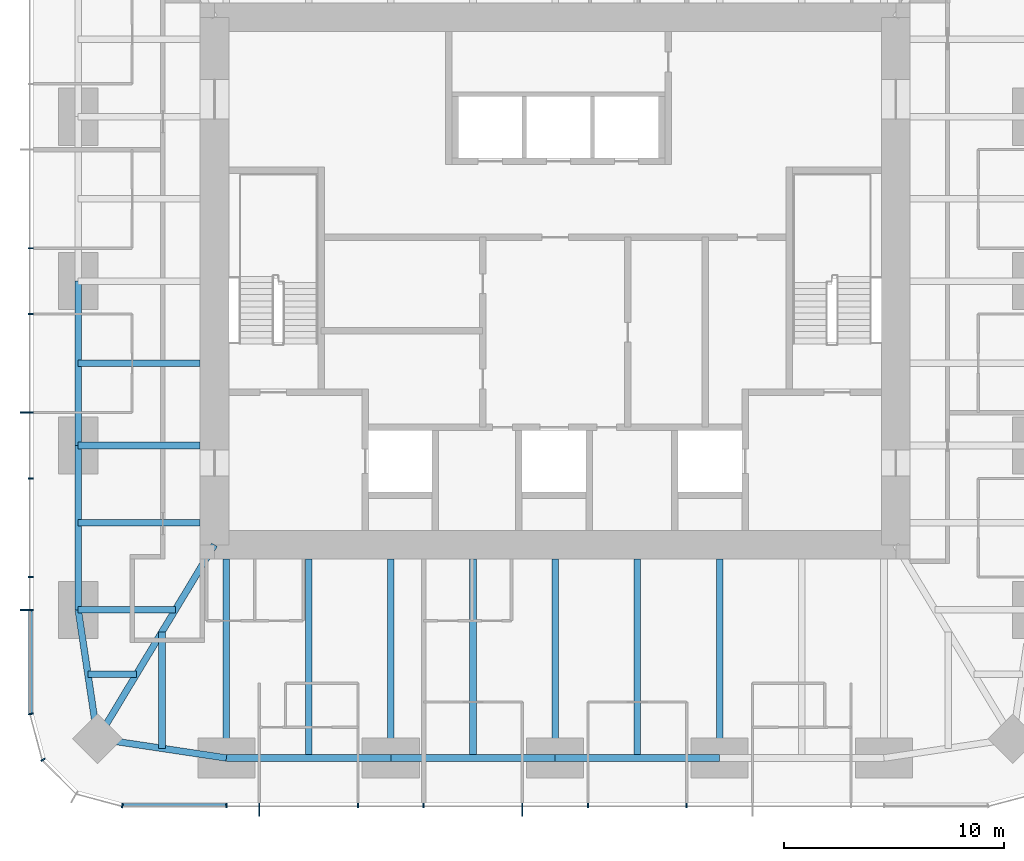
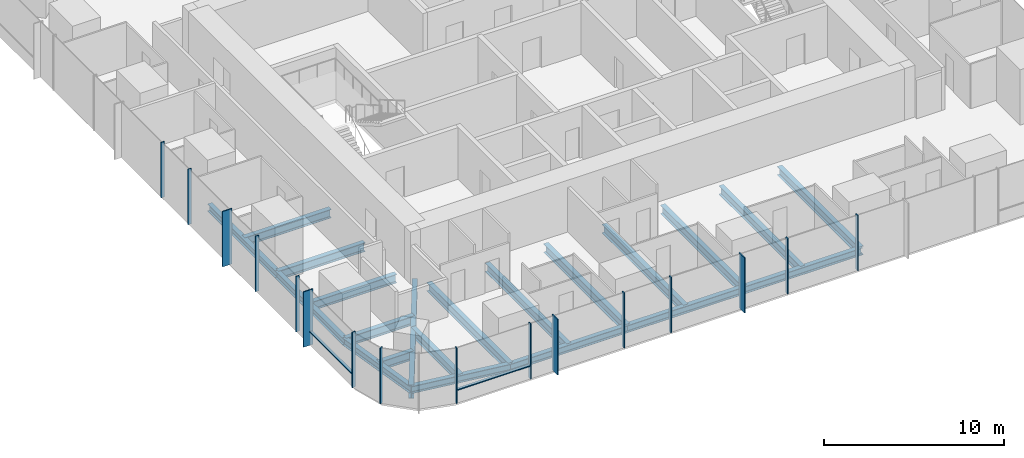
# One storey, part 2 of 12: 21 beams, 18 members, 3 elements without a shape of their own.
"""IFC4 building model written with IfcOpenShell, lengths in metres."""

from ifc_helpers import new_model, si_unit, direction, frame, origin, origin_2d, place, context, subcontext, project, spatial, rectangle, i_section, extrude, material, material_profile, profile_set, type_object, element, aggregate, save


model = new_model("IFC4")

# Units and contexts
model_context = context("Model", 3, precision=1e-05, world=origin(), true_north=direction((0.0, 1.0)))
body_context = subcontext(model_context, "Body", "Model", "MODEL_VIEW")
ifc_project = project(units=[si_unit("LENGTHUNIT", "METRE"), si_unit("AREAUNIT", "SQUARE_METRE"), si_unit("VOLUMEUNIT", "CUBIC_METRE"), si_unit("PLANEANGLEUNIT", "RADIAN"), si_unit("MASSUNIT", "GRAM", prefix="KILO")], contexts=[model_context])

# Site, building, storey
site_placement = place(None, origin())
site = spatial("IfcSite", under=ifc_project, at=site_placement, CompositionType="ELEMENT")
building_placement = place(site_placement, origin())
building = spatial("IfcBuilding", under=site, at=building_placement, Name="Khuree Lantern Residences", CompositionType="ELEMENT")
storey_placement = place(building_placement, frame((0.0, 0.0, 293.25)))
storey = spatial("IfcBuildingStorey", under=building, at=storey_placement, Name="L73", CompositionType="ELEMENT", Elevation=293.25)

# Beams
ifc_material_1 = material(Name="Steel S355", Category="steel")
ifc_material_profile_1 = material_profile(ifc_material_1, i_section(OverallWidth=0.300048828125, OverallDepth=0.590087890625, WebThickness=0.012939453125, FlangeThickness=0.02490234375, FilletRadius=0.027099609375, at=origin_2d()), Name="HE 600 A")
ifc_profile_set_1 = profile_set([ifc_material_profile_1], Name="Steel S355")
beam_type_1 = type_object("IfcBeamType", Name="B-41A SECONDARY BEAM HE 600 A", PredefinedType="BEAM", material=ifc_profile_set_1)
for number, where, z_axis, x_axis, name in (
    (1, (3.739990234375, -21.699951171875, -0.544921875), (0.0, 1.0, 0.0), (-1.0, 0.0, 0.0), "Secondary beam S3"),
    (2, (-3.739990234375, -21.699951171875, -0.544921875), (0.0, 1.0, 0.0), (-1.0, 0.0, 0.0), "Secondary beam S4"),
    (3, (-11.219970703125, -21.699951171875, -0.544921875), (0.0, 1.0, 0.0), (-1.0, 0.0, 0.0), "Secondary beam S5"),
):
    element("IfcBeam", number, at=place(storey_placement, frame(where, z_axis=z_axis, x_axis=x_axis)), inside=storey, type_object=beam_type_1, Name=name, PredefinedType="BEAM", context=body_context, shape_type="SweptSolid", body=[
        extrude(i_section(OverallWidth=0.300048828125, OverallDepth=0.590087890625, WebThickness=0.012939453125, FlangeThickness=0.02490234375, FilletRadius=0.027099609375, at=origin_2d()), origin(), (0.0, 0.0, 1.0), 9.050048828125),
    ])
beam_1_placement = place(storey_placement, frame((-17.890625, -21.2607421875, -0.544921875), z_axis=(0.0, 1.0, 0.0), x_axis=(-1.0, 0.0, 0.0)))
element("IfcBeam", 4, at=beam_1_placement, inside=storey, type_object=beam_type_1, Name="Secondary beam S6", PredefinedType="BEAM", context=body_context, shape_type="SweptSolid", body=[
    extrude(i_section(OverallWidth=0.300048828125, OverallDepth=0.590087890625, WebThickness=0.012939453125, FlangeThickness=0.02490234375, FilletRadius=0.027099609375, at=origin_2d()), origin(), (0.0, 0.0, 1.0), 5.297607421875),
])
beam_2_placement = place(storey_placement, frame((-21.2607421875, -17.890625, -0.544921875), z_axis=(1.0, 0.0, 0.0), x_axis=(0.0, 1.0, 0.0)))
element("IfcBeam", 5, at=beam_2_placement, inside=storey, type_object=beam_type_1, Name="Secondary beam W1", PredefinedType="BEAM", context=body_context, shape_type="SweptSolid", body=[
    extrude(i_section(OverallWidth=0.300048828125, OverallDepth=0.590087890625, WebThickness=0.012939453125, FlangeThickness=0.02490234375, FilletRadius=0.027099609375, at=origin_2d()), origin(), (0.0, 0.0, 1.0), 2.207275390625),
])
for number, where, z_axis, x_axis, name in (
    (6, (-21.699951171875, -11.0, -0.544921875), (1.0, 0.0, 0.0), (0.0, 1.0, 0.0), "Secondary beam W2"),
    (7, (-21.699951171875, -3.739990234375, -0.544921875), (1.0, 0.0, 0.0), (0.0, 1.0, 0.0), "Secondary beam W3"),
):
    element("IfcBeam", number, at=place(storey_placement, frame(where, z_axis=z_axis, x_axis=x_axis)), inside=storey, type_object=beam_type_1, Name=name, PredefinedType="BEAM", context=body_context, shape_type="SweptSolid", body=[
        extrude(i_section(OverallWidth=0.300048828125, OverallDepth=0.590087890625, WebThickness=0.012939453125, FlangeThickness=0.02490234375, FilletRadius=0.027099609375, at=origin_2d()), origin(), (0.0, 0.0, 1.0), 5.550048828125),
    ])
ifc_material_profile_2 = material_profile(ifc_material_1, i_section(OverallWidth=0.300048828125, OverallDepth=0.489990234375, WebThickness=0.011962890625, FlangeThickness=0.02294921875, FilletRadius=0.027099609375, at=origin_2d()), Name="HE 500 A")
ifc_profile_set_2 = profile_set([ifc_material_profile_2], Name="Steel S355")
beam_type_2 = type_object("IfcBeamType", Name="E-41 SPANDREL BEAM HE 500 A", PredefinedType="SPANDREL", material=ifc_profile_set_2)
for number, where, z_axis, x_axis, name in (
    (8, (7.47998046875, -21.699951171875, -0.4951171875), (-1.0, 0.0, 0.0), (0.0, -1.0, 0.0), "Spandrel beam S3"),
    (9, (0.0, -21.699951171875, -0.4951171875), (-1.0, 0.0, 0.0), (0.0, -1.0, 0.0), "Spandrel beam S4"),
    (10, (-7.47998046875, -21.699951171875, -0.4951171875), (-1.0, 0.0, 0.0), (0.0, -1.0, 0.0), "Spandrel beam S5"),
):
    element("IfcBeam", number, at=place(storey_placement, frame(where, z_axis=z_axis, x_axis=x_axis)), inside=storey, type_object=beam_type_2, Name=name, PredefinedType="SPANDREL", context=body_context, shape_type="SweptSolid", body=[
        extrude(i_section(OverallWidth=0.300048828125, OverallDepth=0.489990234375, WebThickness=0.011962890625, FlangeThickness=0.02294921875, FilletRadius=0.027099609375, at=origin_2d()), origin(), (0.0, 0.0, 1.0), 7.47998046875),
    ])
for number, where, z_axis, x_axis, name in (
    (11, (-14.9599609375, -21.699951171875, -0.4951171875), (-0.988949643299, 0.148251822985, 0.0), (-0.148251822985, -0.988949643299, 0.0), "Spandrel beam S6"),
    (12, (-20.8212890625, -20.8212890625, -0.4951171875), (-0.148251822985, 0.988949643299, 0.0), (-0.988949643299, -0.148251822985, 0.0), "Spandrel beam W1"),
):
    element("IfcBeam", number, at=place(storey_placement, frame(where, z_axis=z_axis, x_axis=x_axis)), inside=storey, type_object=beam_type_2, Name=name, PredefinedType="SPANDREL", context=body_context, shape_type="SweptSolid", body=[
        extrude(i_section(OverallWidth=0.300048828125, OverallDepth=0.489990234375, WebThickness=0.011962890625, FlangeThickness=0.02294921875, FilletRadius=0.027099609375, at=origin_2d()), origin(), (0.0, 0.0, 1.0), 5.9267578125),
    ])
for number, where, z_axis, x_axis, name in (
    (13, (-21.699951171875, -14.9599609375, -0.4951171875), (0.0, 1.0, 0.0), (-1.0, 0.0, 0.0), "Spandrel beam W2"),
    (14, (-21.699951171875, -7.47998046875, -0.4951171875), (0.0, 1.0, 0.0), (-1.0, 0.0, 0.0), "Spandrel beam W3"),
):
    element("IfcBeam", number, at=place(storey_placement, frame(where, z_axis=z_axis, x_axis=x_axis)), inside=storey, type_object=beam_type_2, Name=name, PredefinedType="SPANDREL", context=body_context, shape_type="SweptSolid", body=[
        extrude(i_section(OverallWidth=0.300048828125, OverallDepth=0.489990234375, WebThickness=0.011962890625, FlangeThickness=0.02294921875, FilletRadius=0.027099609375, at=origin_2d()), origin(), (0.0, 0.0, 1.0), 7.47998046875),
    ])

# Curtain wall, members
ifc_material_2 = material(Name="Bronze anodised aluminium", Category="aluminium")
curtain_wall_type_1 = type_object("IfcCurtainWallType", Name="CW-T1 TOWER FACE CURTAIN WALL", PredefinedType="USERDEFINED", material=ifc_material_2)
curtain_wall_1_placement = place(storey_placement, origin())
curtain_wall_1 = element("IfcCurtainWall", 15, at=curtain_wall_1_placement, inside=storey, type_object=curtain_wall_type_1, Name="L73 WEST FACE CURTAIN WALL", ObjectType="Stick-built curtain wall", PredefinedType="USERDEFINED")
ifc_material_profile_3 = material_profile(ifc_material_2, rectangle(XDim=0.06494140625, YDim=0.60009765625, at=origin_2d()), Name="F1 65X600")
ifc_profile_set_3 = profile_set([ifc_material_profile_3], Name="Bronze anodised aluminium")
member_type_1 = type_object("IfcMemberType", Name="F1 BRONZE FIN MULLION TOWER 65X600", PredefinedType="MULLION", material=ifc_profile_set_3)
member_1_placement = place(storey_placement, frame((-24.050048828125, -5.98388671875, 0.0), z_axis=(0.0, 0.0, 1.0), x_axis=(0.0, -1.0, 0.0)))
member_1 = element("IfcMember", 16, at=member_1_placement, type_object=member_type_1, Name="L73 WEST FACE FIN MULLION 39", PredefinedType="MULLION", context=body_context, shape_type="SweptSolid", body=[
    extrude(rectangle(XDim=0.06494140625, YDim=0.60009765625, at=origin_2d()), origin(), (0.0, 0.0, 1.0), 3.75),
])
member_2_placement = place(storey_placement, frame((-24.050048828125, -14.9599609375, 0.0), z_axis=(0.0, 0.0, 1.0), x_axis=(0.0, -1.0, 0.0)))
member_2 = element("IfcMember", 17, at=member_2_placement, type_object=member_type_1, Name="L73 WEST FACE FIN MULLION 42", PredefinedType="MULLION", context=body_context, shape_type="SweptSolid", body=[
    extrude(rectangle(XDim=0.06494140625, YDim=0.60009765625, at=origin_2d()), origin(), (0.0, 0.0, 1.0), 3.75),
])

curtain_wall_2_placement = place(storey_placement, origin())
curtain_wall_2 = element("IfcCurtainWall", 18, at=curtain_wall_2_placement, inside=storey, type_object=curtain_wall_type_1, Name="L73 SOUTH FACE CURTAIN WALL", ObjectType="Stick-built curtain wall", PredefinedType="USERDEFINED")
member_3_placement = place(storey_placement, frame((-13.464111328125, -24.050048828125, 0.0), z_axis=(0.0, 0.0, 1.0), x_axis=(1.0, 0.0, 0.0)))
member_3 = element("IfcMember", 19, at=member_3_placement, type_object=member_type_1, Name="L73 SOUTH FACE FIN MULLION 48", PredefinedType="MULLION", context=body_context, shape_type="SweptSolid", body=[
    extrude(rectangle(XDim=0.06494140625, YDim=0.60009765625, at=origin_2d()), origin(), (0.0, 0.0, 1.0), 3.75),
])
member_4_placement = place(storey_placement, frame((-1.49609375, -24.050048828125, 0.0), z_axis=(0.0, 0.0, 1.0), x_axis=(1.0, 0.0, 0.0)))
member_4 = element("IfcMember", 20, at=member_4_placement, type_object=member_type_1, Name="L73 SOUTH FACE FIN MULLION 51", PredefinedType="MULLION", context=body_context, shape_type="SweptSolid", body=[
    extrude(rectangle(XDim=0.06494140625, YDim=0.60009765625, at=origin_2d()), origin(), (0.0, 0.0, 1.0), 3.75),
])

# Beams
ifc_material_profile_4 = material_profile(ifc_material_1, i_section(OverallWidth=0.300048828125, OverallDepth=0.60009765625, WebThickness=0.015380859375, FlangeThickness=0.030029296875, FilletRadius=0.027099609375, at=origin_2d()), Name="HE 600 B")
ifc_profile_set_4 = profile_set([ifc_material_profile_4], Name="Steel S355")
beam_type_3 = type_object("IfcBeamType", Name="G-41 GIRDER HE 600 B", PredefinedType="BEAM", material=ifc_profile_set_4)
for number, where, z_axis, x_axis, name in (
    (21, (7.47998046875, -21.699951171875, -0.550048828125), (0.0, 1.0, 0.0), (-1.0, 0.0, 0.0), "Girder S2"),
    (22, (0.0, -21.699951171875, -0.550048828125), (0.0, 1.0, 0.0), (-1.0, 0.0, 0.0), "Girder S3"),
    (23, (-7.47998046875, -21.699951171875, -0.550048828125), (0.0, 1.0, 0.0), (-1.0, 0.0, 0.0), "Girder S4"),
    (24, (-14.9599609375, -21.699951171875, -0.550048828125), (0.0, 1.0, 0.0), (-1.0, 0.0, 0.0), "Girder S5"),
):
    element("IfcBeam", number, at=place(storey_placement, frame(where, z_axis=z_axis, x_axis=x_axis)), inside=storey, type_object=beam_type_3, Name=name, PredefinedType="BEAM", context=body_context, shape_type="SweptSolid", body=[
        extrude(i_section(OverallWidth=0.300048828125, OverallDepth=0.60009765625, WebThickness=0.015380859375, FlangeThickness=0.030029296875, FilletRadius=0.027099609375, at=origin_2d()), origin(), (0.0, 0.0, 1.0), 9.050048828125),
    ])
beam_3_placement = place(storey_placement, frame((-21.699951171875, -14.9599609375, -0.550048828125), z_axis=(1.0, 0.0, 0.0), x_axis=(0.0, 1.0, 0.0)))
element("IfcBeam", 25, at=beam_3_placement, inside=storey, type_object=beam_type_3, Name="Girder W1", PredefinedType="BEAM", context=body_context, shape_type="SweptSolid", body=[
    extrude(i_section(OverallWidth=0.300048828125, OverallDepth=0.60009765625, WebThickness=0.015380859375, FlangeThickness=0.030029296875, FilletRadius=0.027099609375, at=origin_2d()), origin(), (0.0, 0.0, 1.0), 4.414306640625),
])
beam_4_placement = place(storey_placement, frame((-21.699951171875, -7.47998046875, -0.550048828125), z_axis=(1.0, 0.0, 0.0), x_axis=(0.0, 1.0, 0.0)))
element("IfcBeam", 26, at=beam_4_placement, inside=storey, type_object=beam_type_3, Name="Girder W2", PredefinedType="BEAM", context=body_context, shape_type="SweptSolid", body=[
    extrude(i_section(OverallWidth=0.300048828125, OverallDepth=0.60009765625, WebThickness=0.015380859375, FlangeThickness=0.030029296875, FilletRadius=0.027099609375, at=origin_2d()), origin(), (0.0, 0.0, 1.0), 5.550048828125),
])
ifc_material_profile_5 = material_profile(ifc_material_1, i_section(OverallWidth=0.300048828125, OverallDepth=0.89990234375, WebThickness=0.0185546875, FlangeThickness=0.034912109375, FilletRadius=0.030029296875, at=origin_2d()), Name="HE 900 B")
ifc_profile_set_5 = profile_set([ifc_material_profile_5], Name="Steel S355")
beam_type_4 = type_object("IfcBeamType", Name="GD-41 CORNER GIRDER HE 900 B", PredefinedType="BEAM", material=ifc_profile_set_5)
beam_5_placement = place(storey_placement, frame((-20.8212890625, -20.8212890625, -0.699951171875), z_axis=(0.516529577604, 0.856269347495, 0.0), x_axis=(-0.856269347495, 0.516529577604, 0.0)))
element("IfcBeam", 27, at=beam_5_placement, inside=storey, type_object=beam_type_4, Name="Corner girder SW", PredefinedType="BEAM", context=body_context, shape_type="SweptSolid", body=[
    extrude(i_section(OverallWidth=0.300048828125, OverallDepth=0.89990234375, WebThickness=0.0185546875, FlangeThickness=0.034912109375, FilletRadius=0.030029296875, at=origin_2d()), origin(), (0.0, 0.0, 1.0), 10.302001953125),
])

# Member
ifc_material_profile_6 = material_profile(ifc_material_2, rectangle(XDim=0.06494140625, YDim=0.219970703125, at=origin_2d()), Name="M1 65X220")
ifc_profile_set_6 = profile_set([ifc_material_profile_6], Name="Bronze anodised aluminium")
member_type_2 = type_object("IfcMemberType", Name="M1 BRONZE MULLION TOWER 65X220", PredefinedType="MULLION", material=ifc_profile_set_6)
member_5_placement = place(storey_placement, frame((-23.860107421875, 1.49609375, 0.0), z_axis=(0.0, 0.0, 1.0), x_axis=(0.0, -1.0, 0.0)))
member_5 = element("IfcMember", 28, at=member_5_placement, type_object=member_type_2, Name="L73 WEST FACE MULLION 37", PredefinedType="MULLION", context=body_context, shape_type="SweptSolid", body=[
    extrude(rectangle(XDim=0.06494140625, YDim=0.219970703125, at=origin_2d()), origin(), (0.0, 0.0, 1.0), 3.75),
])

member_6_placement = place(storey_placement, frame((-23.860107421875, -1.49609375, 0.0), z_axis=(0.0, 0.0, 1.0), x_axis=(0.0, -1.0, 0.0)))
member_6 = element("IfcMember", 29, at=member_6_placement, type_object=member_type_2, Name="L73 WEST FACE MULLION 38", PredefinedType="MULLION", context=body_context, shape_type="SweptSolid", body=[
    extrude(rectangle(XDim=0.06494140625, YDim=0.219970703125, at=origin_2d()), origin(), (0.0, 0.0, 1.0), 3.75),
])

member_7_placement = place(storey_placement, frame((-23.860107421875, -8.97607421875, 0.0), z_axis=(0.0, 0.0, 1.0), x_axis=(0.0, -1.0, 0.0)))
member_7 = element("IfcMember", 30, at=member_7_placement, type_object=member_type_2, Name="L73 WEST FACE MULLION 40", PredefinedType="MULLION", context=body_context, shape_type="SweptSolid", body=[
    extrude(rectangle(XDim=0.06494140625, YDim=0.219970703125, at=origin_2d()), origin(), (0.0, 0.0, 1.0), 3.75),
])

member_8_placement = place(storey_placement, frame((-23.860107421875, -13.464111328125, 0.0), z_axis=(0.0, 0.0, 1.0), x_axis=(0.0, -1.0, 0.0)))
member_8 = element("IfcMember", 31, at=member_8_placement, type_object=member_type_2, Name="L73 WEST FACE MULLION 41", PredefinedType="MULLION", context=body_context, shape_type="SweptSolid", body=[
    extrude(rectangle(XDim=0.06494140625, YDim=0.219970703125, at=origin_2d()), origin(), (0.0, 0.0, 1.0), 3.75),
])

# Curtain wall, members
curtain_wall_type_2 = type_object("IfcCurtainWallType", Name="CW-T2 TOWER CORNER CURTAIN WALL", PredefinedType="USERDEFINED", material=ifc_material_2)
curtain_wall_3_placement = place(storey_placement, origin())
curtain_wall_3 = element("IfcCurtainWall", 32, at=curtain_wall_3_placement, inside=storey, type_object=curtain_wall_type_2, Name="L73 SOUTH-WEST CORNER CURTAIN WALL", ObjectType="Faceted corner curtain wall", PredefinedType="USERDEFINED")
member_9_placement = place(storey_placement, frame((-23.86181640625, -19.695068359375, 0.0), z_axis=(0.0, 0.0, 1.0), x_axis=(0.130526125236, -0.991444870192, 0.0)))
member_9 = element("IfcMember", 33, at=member_9_placement, type_object=member_type_2, Name="L73 SOUTH-WEST CORNER MULLION 43", PredefinedType="MULLION", context=body_context, shape_type="SweptSolid", body=[
    extrude(rectangle(XDim=0.06494140625, YDim=0.219970703125, at=origin_2d()), origin(), (0.0, 0.0, 1.0), 3.75),
])
member_10_placement = place(storey_placement, frame((-23.302734375, -21.780029296875, 0.0), z_axis=(0.0, 0.0, 1.0), x_axis=(0.49999994149, -0.866025437565, 0.0)))
member_10 = element("IfcMember", 34, at=member_10_placement, type_object=member_type_2, Name="L73 SOUTH-WEST CORNER MULLION 44", PredefinedType="MULLION", context=body_context, shape_type="SweptSolid", body=[
    extrude(rectangle(XDim=0.06494140625, YDim=0.219970703125, at=origin_2d()), origin(), (0.0, 0.0, 1.0), 3.75),
])
aggregate(curtain_wall_3, [member_9, member_10])

# Member
member_11_placement = place(storey_placement, frame((-19.695068359375, -23.86181640625, 0.0), z_axis=(0.0, 0.0, 1.0), x_axis=(0.991444870192, -0.130526125236, 0.0)))
member_11 = element("IfcMember", 35, at=member_11_placement, type_object=member_type_2, Name="L73 SOUTH FACE MULLION 46", PredefinedType="MULLION", context=body_context, shape_type="SweptSolid", body=[
    extrude(rectangle(XDim=0.06494140625, YDim=0.219970703125, at=origin_2d()), origin(), (0.0, 0.0, 1.0), 3.75),
])

member_12_placement = place(storey_placement, frame((-14.9599609375, -23.860107421875, 0.0), z_axis=(0.0, 0.0, 1.0), x_axis=(1.0, 0.0, 0.0)))
member_12 = element("IfcMember", 36, at=member_12_placement, type_object=member_type_2, Name="L73 SOUTH FACE MULLION 47", PredefinedType="MULLION", context=body_context, shape_type="SweptSolid", body=[
    extrude(rectangle(XDim=0.06494140625, YDim=0.219970703125, at=origin_2d()), origin(), (0.0, 0.0, 1.0), 3.75),
])

member_13_placement = place(storey_placement, frame((-8.97607421875, -23.860107421875, 0.0), z_axis=(0.0, 0.0, 1.0), x_axis=(1.0, 0.0, 0.0)))
member_13 = element("IfcMember", 37, at=member_13_placement, type_object=member_type_2, Name="L73 SOUTH FACE MULLION 49", PredefinedType="MULLION", context=body_context, shape_type="SweptSolid", body=[
    extrude(rectangle(XDim=0.06494140625, YDim=0.219970703125, at=origin_2d()), origin(), (0.0, 0.0, 1.0), 3.75),
])

member_14_placement = place(storey_placement, frame((-5.98388671875, -23.860107421875, 0.0), z_axis=(0.0, 0.0, 1.0), x_axis=(1.0, 0.0, 0.0)))
member_14 = element("IfcMember", 38, at=member_14_placement, type_object=member_type_2, Name="L73 SOUTH FACE MULLION 50", PredefinedType="MULLION", context=body_context, shape_type="SweptSolid", body=[
    extrude(rectangle(XDim=0.06494140625, YDim=0.219970703125, at=origin_2d()), origin(), (0.0, 0.0, 1.0), 3.75),
])

member_15_placement = place(storey_placement, frame((1.49609375, -23.860107421875, 0.0), z_axis=(0.0, 0.0, 1.0), x_axis=(1.0, 0.0, 0.0)))
member_15 = element("IfcMember", 39, at=member_15_placement, type_object=member_type_2, Name="L73 SOUTH FACE MULLION 52", PredefinedType="MULLION", context=body_context, shape_type="SweptSolid", body=[
    extrude(rectangle(XDim=0.06494140625, YDim=0.219970703125, at=origin_2d()), origin(), (0.0, 0.0, 1.0), 3.75),
])

member_16_placement = place(storey_placement, frame((5.98388671875, -23.860107421875, 0.0), z_axis=(0.0, 0.0, 1.0), x_axis=(1.0, 0.0, 0.0)))
member_16 = element("IfcMember", 40, at=member_16_placement, type_object=member_type_2, Name="L73 SOUTH FACE MULLION 53", PredefinedType="MULLION", context=body_context, shape_type="SweptSolid", body=[
    extrude(rectangle(XDim=0.06494140625, YDim=0.219970703125, at=origin_2d()), origin(), (0.0, 0.0, 1.0), 3.75),
])

ifc_material_profile_7 = material_profile(ifc_material_2, rectangle(XDim=0.179931640625, YDim=0.06494140625, at=origin_2d()), Name="T1 180X65")
ifc_profile_set_7 = profile_set([ifc_material_profile_7], Name="Bronze anodised aluminium")
member_type_3 = type_object("IfcMemberType", Name="TRANSOM T1 TOWER 180X65", PredefinedType="USERDEFINED", material=ifc_profile_set_7)
member_17_placement = place(storey_placement, frame((-23.8701171875, -14.992431640625, 0.89990234375), z_axis=(0.0, -1.0, 0.0), x_axis=(1.0, 0.0, 0.0)))
member_17 = element("IfcMember", 41, at=member_17_placement, type_object=member_type_3, Name="L73 WEST FACE TRANSOM 42.1", ObjectType="Transom", PredefinedType="USERDEFINED", context=body_context, shape_type="SweptSolid", body=[
    extrude(rectangle(XDim=0.179931640625, YDim=0.06494140625, at=origin_2d()), origin(), (0.0, 0.0, 1.0), 4.658935546875),
])

aggregate(curtain_wall_1, [member_5, member_6, member_1, member_7, member_8, member_2, member_17])

member_18_placement = place(storey_placement, frame((-19.6513671875, -23.8701171875, 0.89990234375), z_axis=(1.0, 0.0, 0.0), x_axis=(0.0, 1.0, 0.0)))
member_18 = element("IfcMember", 42, at=member_18_placement, type_object=member_type_3, Name="L73 SOUTH FACE TRANSOM 46.1", ObjectType="Transom", PredefinedType="USERDEFINED", context=body_context, shape_type="SweptSolid", body=[
    extrude(rectangle(XDim=0.179931640625, YDim=0.06494140625, at=origin_2d()), origin(), (0.0, 0.0, 1.0), 4.658935546875),
])

aggregate(curtain_wall_2, [member_11, member_12, member_3, member_13, member_14, member_4, member_15, member_16, member_18])

save(model, "model.ifc")
